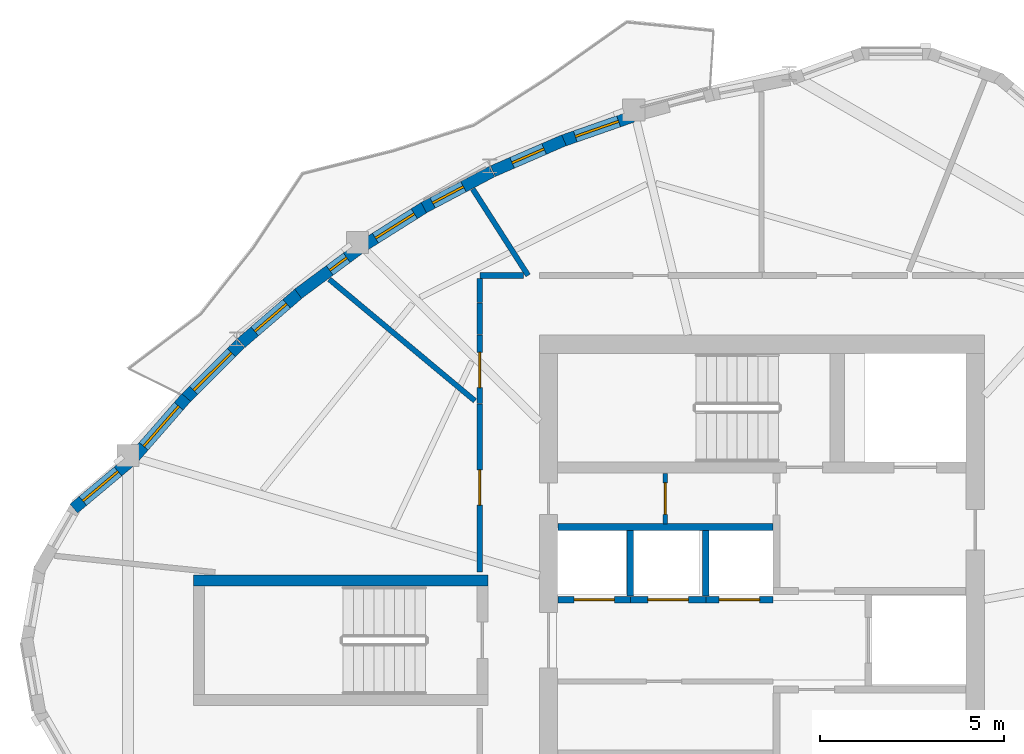
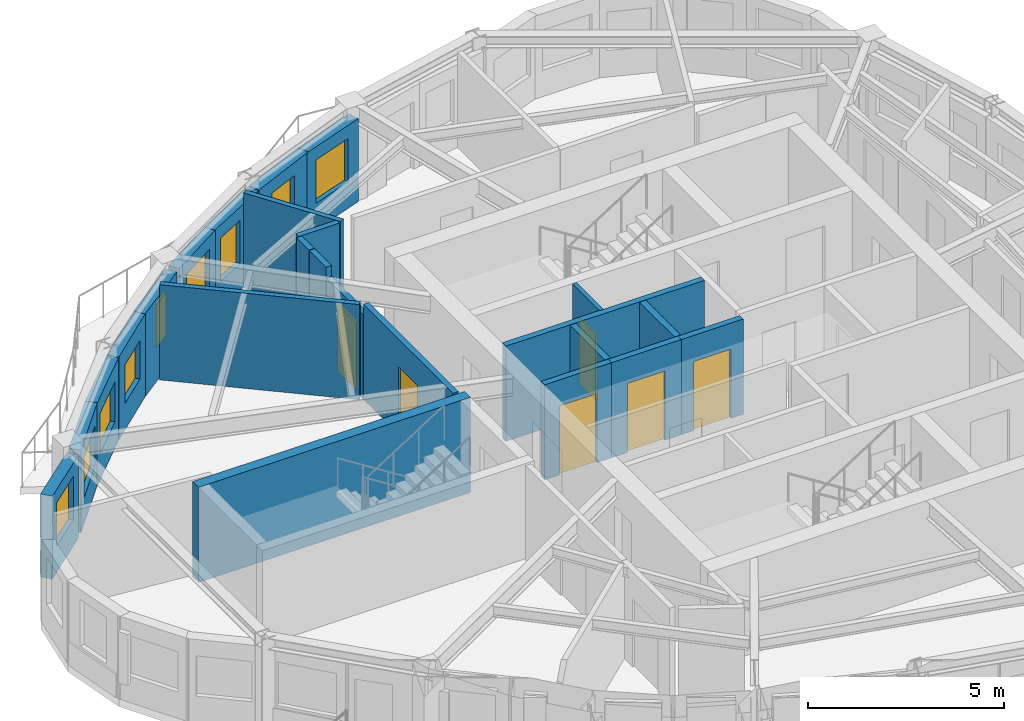
# One storey, part 5 of 11: 24 walls, 9 windows, 6 doors, 15 openings.
"""IFC4 building model written with IfcOpenShell, lengths in metres."""

import ifcopenshell
import ifcopenshell.guid

model = None  # the IFC model being written
_history = None  # IfcOwnerHistory: only IFC2X3 demands one
_inside = {}  # id of a spatial element -> (the spatial element, [elements in it])
_under = {}  # id of a project, library or spatial element -> (it, [spatial elements below it])
_declared = {}  # id of a project -> (the project, [libraries it declares])
_typed = {}  # id of a type object -> (the type object, [elements of that type])
_made_of = {}  # id of a material, layer set ... -> (it, [elements and type objects made of it])


def new_model(schema):
    """Start an empty IFC model of exactly this schema.

    Asked for "IFC4X3", IfcOpenShell would pick the latest addendum, in which some entities
    have other attributes; the version numbers below select the first issue.
    IFC2X3 requires an IfcOwnerHistory on every rooted entity: one is made here for all.
    """
    global model, _history
    if schema == "IFC4X3":
        model = ifcopenshell.file(schema_version=(4, 3, 0, 0))
    else:
        model = ifcopenshell.file(schema=schema)
    _inside.clear()
    _under.clear()
    _declared.clear()
    _typed.clear()
    _made_of.clear()
    _history = None
    if model.schema == "IFC2X3":
        org = make("IfcOrganization", Name="unknown")
        user = make(
            "IfcPersonAndOrganization",
            ThePerson=make("IfcPerson", FamilyName="unknown"),
            TheOrganization=org,
        )
        app = make(
            "IfcApplication",
            ApplicationDeveloper=org,
            Version="unknown",
            ApplicationFullName="unknown",
            ApplicationIdentifier="unknown",
        )
        _history = make(
            "IfcOwnerHistory",
            OwningUser=user,
            OwningApplication=app,
            ChangeAction="ADDED",
            CreationDate=0,
        )
    return model


def make(cls, **values):
    """One entity of the class cls with the attributes given. An attribute that is None is left unset."""
    return model.create_entity(
        cls, **{name: value for name, value in values.items() if value is not None}
    )


def rooted(cls, **values):
    """An entity with a GlobalId (a new one), such as an element, a storey or a relation."""
    return make(cls, GlobalId=ifcopenshell.guid.new(), OwnerHistory=_history, **values)


def si_unit(unit_type, name, prefix=None):
    """IfcSIUnit, for example si_unit("LENGTHUNIT", "METRE", prefix="MILLI")."""
    return make("IfcSIUnit", UnitType=unit_type, Prefix=prefix, Name=name)


def assignment(units):
    """IfcUnitAssignment: the units of a project."""
    return None if units is None else make("IfcUnitAssignment", Units=units)


def point(xyz):
    """IfcCartesianPoint."""
    return None if xyz is None else make("IfcCartesianPoint", Coordinates=xyz)


def direction(xyz):
    """IfcDirection."""
    return None if xyz is None else make("IfcDirection", DirectionRatios=xyz)


def frame(location, z_axis=None, x_axis=None):
    """IfcAxis2Placement3D, a coordinate frame: its origin and axes. An axis left out is left unset."""
    return make(
        "IfcAxis2Placement3D",
        Location=point(location),
        Axis=direction(z_axis),
        RefDirection=direction(x_axis),
    )


def frame_2d(location, x_axis=None):
    """IfcAxis2Placement2D, a coordinate frame in the plane: its origin and x axis."""
    return make(
        "IfcAxis2Placement2D", Location=point(location), RefDirection=direction(x_axis)
    )


def origin():
    """The frame at (0, 0, 0) with its axes left unset."""
    return frame((0.0, 0.0, 0.0))


def place(relative_to, where):
    """IfcLocalPlacement: puts the frame where relative to a parent placement (None: the world)."""
    return make(
        "IfcLocalPlacement", PlacementRelTo=relative_to, RelativePlacement=where
    )


def context(
    kind, dimensions, precision=None, world=None, true_north=None, identifier=None
):
    """IfcGeometricRepresentationContext, for example the 3D "Model" context."""
    return make(
        "IfcGeometricRepresentationContext",
        ContextIdentifier=identifier,
        ContextType=kind,
        CoordinateSpaceDimension=dimensions,
        Precision=precision,
        WorldCoordinateSystem=world,
        TrueNorth=true_north,
    )


def subcontext(parent, identifier, kind, view, scale=None):
    """IfcGeometricRepresentationSubContext, for example "Body" below "Model"."""
    return make(
        "IfcGeometricRepresentationSubContext",
        ContextIdentifier=identifier,
        ContextType=kind,
        ParentContext=parent,
        TargetScale=scale,
        TargetView=view,
    )


def project(units=None, contexts=None):
    """IfcProject with its units and contexts."""
    return rooted(
        "IfcProject",
        Name="project",
        RepresentationContexts=contexts,
        UnitsInContext=assignment(units),
    )


def spatial(cls, under=None, at=None, **own):
    """A site, building, storey or space (cls), placed at a placement, below another one or the project."""
    s = rooted(cls, ObjectPlacement=at, **own)
    if under is not None:
        _under.setdefault(under.id(), (under, []))[1].append(s)
    return s


def profile(cls, at=None, kind="AREA", **sizes):
    """A parametric profile (cls). Its sizes go by their IFC names, for example OverallWidth=200.0."""
    return make(cls, ProfileType=kind, Position=at, **sizes)


def rectangle(**sizes):
    """IfcRectangleProfileDef."""
    return profile("IfcRectangleProfileDef", **sizes)


def extrude(swept, where, along, depth):
    """IfcExtrudedAreaSolid: the profile swept, set in the frame where, extruded along a direction by depth."""
    return make(
        "IfcExtrudedAreaSolid",
        SweptArea=swept,
        Position=where,
        ExtrudedDirection=direction(along),
        Depth=depth,
    )


def shape(context_of_items, identifier, shape_type, items):
    """IfcShapeRepresentation: the items that make up one representation, for example the "Body"."""
    return make(
        "IfcShapeRepresentation",
        ContextOfItems=context_of_items,
        RepresentationIdentifier=identifier,
        RepresentationType=shape_type,
        Items=items,
    )


def source(mapping_origin, context_of_items, identifier, shape_type, items):
    """IfcRepresentationMap: a shape defined once, which mapped items show again and again."""
    return make(
        "IfcRepresentationMap",
        MappingOrigin=mapping_origin,
        MappedRepresentation=shape(context_of_items, identifier, shape_type, items),
    )


def transform(
    local_origin,
    x_axis=None,
    y_axis=None,
    z_axis=None,
    scale=None,
    scale2=None,
    scale3=None,
    uniform=True,
):
    """IfcCartesianTransformationOperator3D, or its non-uniform kind. x_axis, y_axis, z_axis: its Axis1, 2, 3."""
    if uniform:
        return make(
            "IfcCartesianTransformationOperator3D",
            Axis1=direction(x_axis),
            Axis2=direction(y_axis),
            LocalOrigin=point(local_origin),
            Scale=scale,
            Axis3=direction(z_axis),
        )
    return make(
        "IfcCartesianTransformationOperator3DnonUniform",
        Axis1=direction(x_axis),
        Axis2=direction(y_axis),
        LocalOrigin=point(local_origin),
        Scale=scale,
        Axis3=direction(z_axis),
        Scale2=scale2,
        Scale3=scale3,
    )


def mapped(mapping_source, mapping_target):
    """IfcMappedItem: shows the shape of a source again, moved by a transform."""
    return make(
        "IfcMappedItem", MappingSource=mapping_source, MappingTarget=mapping_target
    )


def material(Name=None, Category=None):
    """IfcMaterial."""
    return make("IfcMaterial", Name=Name, Category=Category)


def layer(
    of_material, thickness, ventilated=None, Name=None, Category=None, Priority=None
):
    """IfcMaterialLayer: one layer of a wall or slab, of a material (None: an air gap)."""
    return make(
        "IfcMaterialLayer",
        Material=of_material,
        LayerThickness=thickness,
        IsVentilated=ventilated,
        Name=Name,
        Category=Category,
        Priority=Priority,
    )


def layer_set(layers, Name=None):
    """IfcMaterialLayerSet."""
    return make("IfcMaterialLayerSet", MaterialLayers=layers, LayerSetName=Name)


def made_of(thing, what):
    """Note that an element or type object is made of a material, layer set ...; save() writes the relation."""
    if what is not None:
        _made_of.setdefault(what.id(), (what, []))[1].append(thing)
    return thing


def type_object(cls, material=None, **own):
    """A type object (cls), such as IfcWallType, which elements share."""
    return made_of(rooted(cls, **own), material)


def element(
    cls,
    number,
    at=None,
    inside=None,
    cuts=None,
    type_object=None,
    material=None,
    context=None,
    identifier="Body",
    shape_type=None,
    held_by="IfcProductDefinitionShape",
    body=None,
    shapes=None,
    **own,
):
    """One element of the class cls, such as IfcWall. Its Tag is "e" and its number.

    at: its placement. inside: the storey or other place that contains it. cuts: it is an
    opening in that element (IfcRelVoidsElement). A single representation is given by context,
    identifier, shape_type and body (its items); several are given by shapes. held_by: the class
    of the entity that holds the representations. save() writes the other relations.
    """
    e = rooted(cls, Tag="e%d" % number, ObjectPlacement=at, **own)
    if body is not None:
        shapes = [shape(context, identifier, shape_type, body)]
    if shapes is not None:
        e.Representation = make(held_by, Representations=shapes)
    if inside is not None:
        _inside.setdefault(inside.id(), (inside, []))[1].append(e)
    if cuts is not None:
        rooted(
            "IfcRelVoidsElement", RelatingBuildingElement=cuts, RelatedOpeningElement=e
        )
    if type_object is not None:
        _typed.setdefault(type_object.id(), (type_object, []))[1].append(e)
    return made_of(e, material)


def fill(opening, filler):
    """IfcRelFillsElement: the door or window that sits in an opening."""
    return rooted(
        "IfcRelFillsElement",
        RelatingOpeningElement=opening,
        RelatedBuildingElement=filler,
    )


def aggregate(whole, parts):
    """IfcRelAggregates: a whole, such as a stair, and the parts it consists of."""
    return rooted("IfcRelAggregates", RelatingObject=whole, RelatedObjects=parts)


def save(model, path):
    """Write the relations noted so far, then the file.

    IfcRelAggregates (storeys below a building ...), IfcRelContainedInSpatialStructure (elements
    in a storey), IfcRelDefinesByType, IfcRelAssociatesMaterial and IfcRelDeclares: one each for
    every whole, place, type object, material and project.
    """
    for whole, parts in _under.values():
        aggregate(whole, parts)
    for where, things in _inside.values():
        rooted(
            "IfcRelContainedInSpatialStructure",
            RelatedElements=things,
            RelatingStructure=where,
        )
    for kind, things in _typed.values():
        rooted("IfcRelDefinesByType", RelatedObjects=things, RelatingType=kind)
    for what, things in _made_of.values():
        rooted("IfcRelAssociatesMaterial", RelatedObjects=things, RelatingMaterial=what)
    for by, libraries in _declared.values():
        rooted("IfcRelDeclares", RelatingContext=by, RelatedDefinitions=libraries)
    model.write(path)


model = new_model("IFC4")

# Units and contexts
model_context = context("Model", 3, precision=1e-05, world=origin(), true_north=direction((0.0, 1.0)))
body_context = subcontext(model_context, "Body", "Model", "MODEL_VIEW")
ifc_project = project(units=[si_unit("LENGTHUNIT", "METRE"), si_unit("AREAUNIT", "SQUARE_METRE"), si_unit("VOLUMEUNIT", "CUBIC_METRE"), si_unit("PLANEANGLEUNIT", "RADIAN"), si_unit("MASSUNIT", "GRAM", prefix="KILO")], contexts=[model_context])

# Site, building, storey
site_placement = place(None, origin())
site = spatial("IfcSite", under=ifc_project, at=site_placement, CompositionType="ELEMENT")
building_placement = place(site_placement, origin())
building = spatial("IfcBuilding", under=site, at=building_placement, Name="Qafzar Sky-Pleat Residences", CompositionType="ELEMENT")
storey_placement = place(building_placement, frame((0.0, 0.0, 234.0)))
storey = spatial("IfcBuildingStorey", under=building, at=storey_placement, Name="L70", CompositionType="ELEMENT", Elevation=234.0)

# Wall, opening, door
ifc_material_1 = material(Name="Acoustic gypsum plasterboard partition", Category="gypsum")
ifc_layer_1 = layer(ifc_material_1, 0.159912109375)
ifc_layer_set_1 = layer_set([ifc_layer_1], Name="Acoustic gypsum plasterboard partition")
wall_type_1 = type_object("IfcWallType", Name="PART-COR-160", PredefinedType="PARTITIONING", material=ifc_layer_set_1)
wall_1_placement = place(storey_placement, frame((22.679931640625, 27.85009765625, 0.0), z_axis=(0.0, 0.0, 1.0), x_axis=(0.0, 1.0, 0.0)))
wall_1 = element("IfcWall", 1, at=wall_1_placement, inside=storey, type_object=wall_type_1, Name="L70 Partition Wall PART-L70-PW-003", PredefinedType="PARTITIONING", context=body_context, shape_type="SweptSolid", body=[
    extrude(rectangle(XDim=4.56884765625, YDim=0.159912109375, at=frame_2d((2.284423828125, 0.0))), origin(), (0.0, 0.0, 1.0), 2.9599609375),
])
opening_1_placement = place(wall_1_placement, frame((1.824462890625, 0.0, 0.0)))
opening_1 = element("IfcOpeningElement", 2, at=opening_1_placement, cuts=wall_1, Name="Opening ID-06", PredefinedType="OPENING", context=body_context, shape_type="SweptSolid", body=[
    extrude(rectangle(XDim=0.9599609375, YDim=2.10009765625, at=frame_2d((0.47998046875, 1.050048828125))), frame((0.0, 0.08984375, 0.0), z_axis=(0.0, -1.0, 0.0), x_axis=(1.0, 0.0, 0.0)), (0.0, 0.0, 1.0), 0.179931640625),
])
ifc_material_2 = material(Name="Timber-faced fire door", Category="wood")
door_type_1 = type_object("IfcDoorType", Name="DR-STD-960", OperationType="NOTDEFINED", PredefinedType="DOOR", material=ifc_material_2)
shared_shape_1 = source(origin(), body_context, "Body", "SweptSolid", [
    extrude(rectangle(XDim=0.9599609375, YDim=2.10009765625, at=frame_2d((0.47998046875, 1.050048828125))), frame((0.0, 0.02490234375, 0.0), z_axis=(0.0, -1.0, 0.0), x_axis=(1.0, 0.0, 0.0)), (0.0, 0.0, 1.0), 0.050048828125),
])
door_1_placement = place(opening_1_placement, origin())
door_1 = element("IfcDoor", 3, at=door_1_placement, inside=storey, type_object=door_type_1, Name="L70 Scholar Co-Working Workspace Door", OperationType="SINGLE_SWING_RIGHT", OverallHeight=2.10009765625, OverallWidth=0.9599609375, PredefinedType="DOOR", context=body_context, shape_type="MappedRepresentation", body=[
    mapped(shared_shape_1, transform((0.0, 0.0, 0.0), x_axis=(1.0, 0.0, 0.0), y_axis=(0.0, 1.0, 0.0), z_axis=(0.0, 0.0, 1.0), scale=1.0)),
])
fill(opening_1, door_1)

wall_2_placement = place(storey_placement, frame((22.679931640625, 32.43408203125, 0.0), z_axis=(0.0, 0.0, 1.0), x_axis=(0.0, 1.0, 0.0)))
wall_2 = element("IfcWall", 4, at=wall_2_placement, inside=storey, type_object=wall_type_1, Name="L70 Partition Wall PART-L70-PW-010", PredefinedType="PARTITIONING", context=body_context, shape_type="SweptSolid", body=[
    extrude(rectangle(XDim=1.865966796875, YDim=0.159912109375, at=frame_2d((0.93310546875, 0.0))), origin(), (0.0, 0.0, 1.0), 2.6279296875),
])
opening_2_placement = place(wall_2_placement, frame((0.43603515625, 0.0, 0.0)))
opening_2 = element("IfcOpeningElement", 5, at=opening_2_placement, cuts=wall_2, Name="Opening ID-06", PredefinedType="OPENING", context=body_context, shape_type="SweptSolid", body=[
    extrude(rectangle(XDim=0.9599609375, YDim=2.10009765625, at=frame_2d((0.47998046875, 1.050048828125))), frame((0.0, 0.08984375, 0.0), z_axis=(0.0, -1.0, 0.0), x_axis=(1.0, 0.0, 0.0)), (0.0, 0.0, 1.0), 0.179931640625),
])
door_2_placement = place(opening_2_placement, origin())
door_2 = element("IfcDoor", 6, at=door_2_placement, inside=storey, type_object=door_type_1, Name="L70 Quiet Prayer Room Door", OperationType="SINGLE_SWING_RIGHT", OverallHeight=2.10009765625, OverallWidth=0.9599609375, PredefinedType="DOOR", context=body_context, shape_type="MappedRepresentation", body=[
    mapped(shared_shape_1, transform((0.0, 0.0, 0.0), x_axis=(1.0, 0.0, 0.0), y_axis=(0.0, 1.0, 0.0), z_axis=(0.0, 0.0, 1.0), scale=1.0)),
])
fill(opening_2, door_2)

# Walls
wall_3_placement = place(storey_placement, frame((22.679931640625, 35.919921875, 0.0), z_axis=(0.0, 0.0, 1.0), x_axis=(1.0, 0.0, 0.0)))
element("IfcWall", 7, at=wall_3_placement, inside=storey, type_object=wall_type_1, Name="L70 Partition Wall PART-L70-PW-026", PredefinedType="PARTITIONING", context=body_context, shape_type="SweptSolid", body=[
    extrude(rectangle(XDim=1.186767578125, YDim=0.159912109375, at=frame_2d((0.59326171875, 0.0))), origin(), (0.0, 0.0, 1.0), 2.9599609375),
])
wall_4_placement = place(storey_placement, frame((22.679931640625, 34.31494140625, 0.0), z_axis=(0.0, 0.0, 1.0), x_axis=(0.0, 1.0, 0.0)))
element("IfcWall", 8, at=wall_4_placement, inside=storey, type_object=wall_type_1, Name="L70 Partition Wall PART-L70-PW-028", PredefinedType="PARTITIONING", context=body_context, shape_type="SweptSolid", body=[
    extrude(rectangle(XDim=0.859130859375, YDim=0.159912109375, at=frame_2d((0.4296875, 0.0))), origin(), (0.0, 0.0, 1.0), 2.9599609375),
])
wall_5_placement = place(storey_placement, frame((22.679931640625, 35.18896484375, 0.0), z_axis=(0.0, 0.0, 1.0), x_axis=(0.0, 1.0, 0.0)))
element("IfcWall", 9, at=wall_5_placement, inside=storey, type_object=wall_type_1, Name="L70 Partition Wall PART-L70-PW-029", PredefinedType="PARTITIONING", context=body_context, shape_type="SweptSolid", body=[
    extrude(rectangle(XDim=0.64306640625, YDim=0.159912109375, at=frame_2d((0.321533203125, 0.0))), origin(), (0.0, 0.0, 1.0), 2.9599609375),
])
ifc_material_3 = material(Name="Concrete blockwork partition", Category="masonry")
ifc_layer_2 = layer(ifc_material_3, 0.179931640625)
ifc_layer_set_2 = layer_set([ifc_layer_2], Name="Concrete blockwork partition")
wall_type_2 = type_object("IfcWallType", Name="PART-SHAFT-180", PredefinedType="PARTITIONING", material=ifc_layer_set_2)
wall_6_placement = place(storey_placement, frame((24.81005859375, 29.080078125, 0.0), z_axis=(0.0, 0.0, 1.0), x_axis=(1.0, 0.0, 0.0)))
element("IfcWall", 10, at=wall_6_placement, inside=storey, type_object=wall_type_2, Name="L70 Partition Wall PART-L70-P46-N", PredefinedType="PARTITIONING", context=body_context, shape_type="SweptSolid", body=[
    extrude(rectangle(XDim=5.83984375, YDim=0.179931640625, at=frame_2d((2.919921875, 0.0))), origin(), (0.0, 0.0, 1.0), 2.9599609375),
])

# Wall, opening, door
wall_7_placement = place(storey_placement, frame((24.81005859375, 27.10009765625, 0.0), z_axis=(0.0, 0.0, 1.0), x_axis=(1.0, 0.0, 0.0)))
wall_7 = element("IfcWall", 11, at=wall_7_placement, inside=storey, type_object=wall_type_2, Name="L70 Partition Wall PART-L70-P4-S", PredefinedType="PARTITIONING", context=body_context, shape_type="SweptSolid", body=[
    extrude(rectangle(XDim=1.96484375, YDim=0.179931640625, at=frame_2d((0.982421875, 0.0))), origin(), (0.0, 0.0, 1.0), 2.9599609375),
])
opening_3_placement = place(wall_7_placement, frame((0.4326171875, 0.0, 0.0)))
opening_3 = element("IfcOpeningElement", 12, at=opening_3_placement, cuts=wall_7, Name="Opening LD-01", PredefinedType="OPENING", context=body_context, shape_type="SweptSolid", body=[
    extrude(rectangle(XDim=1.10009765625, YDim=2.14990234375, at=frame_2d((0.550048828125, 1.074951171875))), frame((0.0, 0.10009765625, 0.0), z_axis=(0.0, -1.0, 0.0), x_axis=(1.0, 0.0, 0.0)), (0.0, 0.0, 1.0), 0.199951171875),
])
ifc_material_4 = material(Name="Stainless steel sliding landing door", Category="steel")
door_type_2 = type_object("IfcDoorType", Name="DR-LIFT-P", OperationType="DOUBLE_DOOR_SLIDING", PredefinedType="DOOR", material=ifc_material_4)
shared_shape_2 = source(origin(), body_context, "Body", "SweptSolid", [
    extrude(rectangle(XDim=1.10009765625, YDim=2.14990234375, at=frame_2d((0.550048828125, 1.074951171875))), frame((0.0, 0.02490234375, 0.0), z_axis=(0.0, -1.0, 0.0), x_axis=(1.0, 0.0, 0.0)), (0.0, 0.0, 1.0), 0.050048828125),
])
door_3_placement = place(opening_3_placement, origin())
door_3 = element("IfcDoor", 13, at=door_3_placement, inside=storey, type_object=door_type_2, Name="L70 Passenger Lift P4 Landing Door", OperationType="DOUBLE_DOOR_SLIDING", OverallHeight=2.14990234375, OverallWidth=1.10009765625, PredefinedType="DOOR", context=body_context, shape_type="MappedRepresentation", body=[
    mapped(shared_shape_2, transform((0.0, 0.0, 0.0), x_axis=(1.0, 0.0, 0.0), y_axis=(0.0, 1.0, 0.0), z_axis=(0.0, 0.0, 1.0), scale=1.0)),
])
fill(opening_3, door_3)

wall_8_placement = place(storey_placement, frame((26.77490234375, 27.10009765625, 0.0), z_axis=(0.0, 0.0, 1.0), x_axis=(1.0, 0.0, 0.0)))
wall_8 = element("IfcWall", 14, at=wall_8_placement, inside=storey, type_object=wall_type_2, Name="L70 Partition Wall PART-L70-P5-S", PredefinedType="PARTITIONING", context=body_context, shape_type="SweptSolid", body=[
    extrude(rectangle(XDim=2.050048828125, YDim=0.179931640625, at=frame_2d((1.02490234375, 0.0))), origin(), (0.0, 0.0, 1.0), 2.9599609375),
])
opening_4_placement = place(wall_8_placement, frame((0.47509765625, 0.0, 0.0)))
opening_4 = element("IfcOpeningElement", 15, at=opening_4_placement, cuts=wall_8, Name="Opening LD-01", PredefinedType="OPENING", context=body_context, shape_type="SweptSolid", body=[
    extrude(rectangle(XDim=1.10009765625, YDim=2.14990234375, at=frame_2d((0.550048828125, 1.074951171875))), frame((0.0, 0.10009765625, 0.0), z_axis=(0.0, -1.0, 0.0), x_axis=(1.0, 0.0, 0.0)), (0.0, 0.0, 1.0), 0.199951171875),
])
door_4_placement = place(opening_4_placement, origin())
door_4 = element("IfcDoor", 16, at=door_4_placement, inside=storey, type_object=door_type_2, Name="L70 Passenger Lift P5 Landing Door", OperationType="DOUBLE_DOOR_SLIDING", OverallHeight=2.14990234375, OverallWidth=1.10009765625, PredefinedType="DOOR", context=body_context, shape_type="MappedRepresentation", body=[
    mapped(shared_shape_2, transform((0.0, 0.0, 0.0), x_axis=(1.0, 0.0, 0.0), y_axis=(0.0, 1.0, 0.0), z_axis=(0.0, 0.0, 1.0), scale=1.0)),
])
fill(opening_4, door_4)

# Wall
wall_9_placement = place(storey_placement, frame((26.77490234375, 27.199951171875, 0.0), z_axis=(0.0, 0.0, 1.0), x_axis=(0.0, 1.0, 0.0)))
element("IfcWall", 17, at=wall_9_placement, inside=storey, type_object=wall_type_2, Name="L70 Partition Wall PART-L70-P46-DIV-1", PredefinedType="PARTITIONING", context=body_context, shape_type="SweptSolid", body=[
    extrude(rectangle(XDim=1.780029296875, YDim=0.179931640625, at=frame_2d((0.89013671875, 0.0))), origin(), (0.0, 0.0, 1.0), 2.9599609375),
])

# Wall, opening, door
wall_10_placement = place(storey_placement, frame((28.824951171875, 27.10009765625, 0.0), z_axis=(0.0, 0.0, 1.0), x_axis=(1.0, 0.0, 0.0)))
wall_10 = element("IfcWall", 18, at=wall_10_placement, inside=storey, type_object=wall_type_2, Name="L70 Partition Wall PART-L70-P6-S", PredefinedType="PARTITIONING", context=body_context, shape_type="SweptSolid", body=[
    extrude(rectangle(XDim=1.824951171875, YDim=0.179931640625, at=frame_2d((0.91259765625, 0.0))), origin(), (0.0, 0.0, 1.0), 2.9599609375),
])
opening_5_placement = place(wall_10_placement, frame((0.362548828125, 0.0, 0.0)))
opening_5 = element("IfcOpeningElement", 19, at=opening_5_placement, cuts=wall_10, Name="Opening LD-01", PredefinedType="OPENING", context=body_context, shape_type="SweptSolid", body=[
    extrude(rectangle(XDim=1.10009765625, YDim=2.14990234375, at=frame_2d((0.550048828125, 1.074951171875))), frame((0.0, 0.10009765625, 0.0), z_axis=(0.0, -1.0, 0.0), x_axis=(1.0, 0.0, 0.0)), (0.0, 0.0, 1.0), 0.199951171875),
])
door_5_placement = place(opening_5_placement, origin())
door_5 = element("IfcDoor", 20, at=door_5_placement, inside=storey, type_object=door_type_2, Name="L70 Passenger Lift P6 Landing Door", OperationType="DOUBLE_DOOR_SLIDING", OverallHeight=2.14990234375, OverallWidth=1.10009765625, PredefinedType="DOOR", context=body_context, shape_type="MappedRepresentation", body=[
    mapped(shared_shape_2, transform((0.0, 0.0, 0.0), x_axis=(1.0, 0.0, 0.0), y_axis=(0.0, 1.0, 0.0), z_axis=(0.0, 0.0, 1.0), scale=1.0)),
])
fill(opening_5, door_5)

# Wall
wall_11_placement = place(storey_placement, frame((28.824951171875, 27.199951171875, 0.0), z_axis=(0.0, 0.0, 1.0), x_axis=(0.0, 1.0, 0.0)))
element("IfcWall", 21, at=wall_11_placement, inside=storey, type_object=wall_type_2, Name="L70 Partition Wall PART-L70-P46-DIV-2", PredefinedType="PARTITIONING", context=body_context, shape_type="SweptSolid", body=[
    extrude(rectangle(XDim=1.780029296875, YDim=0.179931640625, at=frame_2d((0.89013671875, 0.0))), origin(), (0.0, 0.0, 1.0), 2.9599609375),
])

# Wall, opening, door
ifc_material_5 = material(Name="Gypsum plasterboard partition", Category="gypsum")
ifc_layer_3 = layer(ifc_material_5, 0.114990234375)
ifc_layer_set_3 = layer_set([ifc_layer_3], Name="Gypsum plasterboard partition")
wall_type_3 = type_object("IfcWallType", Name="PART-SVC-115", PredefinedType="PARTITIONING", material=ifc_layer_set_3)
wall_12_placement = place(storey_placement, frame((27.72509765625, 29.159912109375, 0.0), z_axis=(0.0, 0.0, 1.0), x_axis=(0.0, 1.0, 0.0)))
wall_12 = element("IfcWall", 22, at=wall_12_placement, inside=storey, type_object=wall_type_3, Name="L70 Partition Wall PART-L70-KB-NW", PredefinedType="PARTITIONING", context=body_context, shape_type="SweptSolid", body=[
    extrude(rectangle(XDim=1.380126953125, YDim=0.114990234375, at=frame_2d((0.68994140625, 0.0))), origin(), (0.0, 0.0, 1.0), 2.9599609375),
])
opening_6_placement = place(wall_12_placement, frame((0.260009765625, 0.0, 0.0)))
opening_6 = element("IfcOpeningElement", 23, at=opening_6_placement, cuts=wall_12, Name="Opening ID-09", PredefinedType="OPENING", context=body_context, shape_type="SweptSolid", body=[
    extrude(rectangle(XDim=0.860107421875, YDim=2.050048828125, at=frame_2d((0.43017578125, 1.02490234375))), frame((0.0, 0.0673828125, 0.0), z_axis=(0.0, -1.0, 0.0), x_axis=(1.0, 0.0, 0.0)), (0.0, 0.0, 1.0), 0.135009765625),
])
door_type_3 = type_object("IfcDoorType", Name="DR-SVC-860", OperationType="NOTDEFINED", PredefinedType="DOOR", material=ifc_material_2)
shared_shape_3 = source(origin(), body_context, "Body", "SweptSolid", [
    extrude(rectangle(XDim=0.860107421875, YDim=2.050048828125, at=frame_2d((0.43017578125, 1.02490234375))), frame((0.0, 0.02490234375, 0.0), z_axis=(0.0, -1.0, 0.0), x_axis=(1.0, 0.0, 0.0)), (0.0, 0.0, 1.0), 0.050048828125),
])
door_6_placement = place(opening_6_placement, origin())
door_6 = element("IfcDoor", 24, at=door_6_placement, inside=storey, type_object=door_type_3, Name="L70 IT Cupboard Door", OperationType="SINGLE_SWING_RIGHT", OverallHeight=2.050048828125, OverallWidth=0.860107421875, PredefinedType="DOOR", context=body_context, shape_type="MappedRepresentation", body=[
    mapped(shared_shape_3, transform((0.0, 0.0, 0.0), x_axis=(1.0, 0.0, 0.0), y_axis=(0.0, 1.0, 0.0), z_axis=(0.0, 0.0, 1.0), scale=1.0)),
])
fill(opening_6, door_6)

# Walls
ifc_layer_4 = layer(ifc_material_1, 0.14501953125)
ifc_layer_set_4 = layer_set([ifc_layer_4], Name="Acoustic gypsum plasterboard partition")
wall_type_4 = type_object("IfcWallType", Name="PART-UNIT-145", PredefinedType="PARTITIONING", material=ifc_layer_set_4)
wall_13_placement = place(storey_placement, frame((18.585693359375, 35.81689453125, 0.0), z_axis=(0.0, 0.0, 1.0), x_axis=(0.767767335808, -0.640728739848, 0.0)))
element("IfcWall", 25, at=wall_13_placement, inside=storey, type_object=wall_type_4, Name="L70 Partition Wall PART-L70-PW-012", PredefinedType="PARTITIONING", context=body_context, shape_type="SweptSolid", body=[
    extrude(rectangle(XDim=5.159912109375, YDim=0.14501953125, at=frame_2d((2.580078125, 0.0))), origin(), (0.0, 0.0, 1.0), 2.9599609375),
])
wall_14_placement = place(storey_placement, frame((22.48876953125, 38.27001953125, 0.0), z_axis=(0.0, 0.0, 1.0), x_axis=(0.539324255944, -0.842098181301, 0.0)))
element("IfcWall", 26, at=wall_14_placement, inside=storey, type_object=wall_type_4, Name="L70 Partition Wall PART-L70-PW-020", PredefinedType="PARTITIONING", context=body_context, shape_type="SweptSolid", body=[
    extrude(rectangle(XDim=2.790771484375, YDim=0.14501953125, at=frame_2d((1.3955078125, 0.0))), origin(), (0.0, 0.0, 1.0), 2.9599609375),
])

# Wall, opening, window
ifc_material_6 = material(Name="Precast concrete C40/50 with honed Riyadh limestone", Category="concrete")
ifc_layer_5 = layer(ifc_material_6, 0.320068359375)
ifc_layer_set_5 = layer_set([ifc_layer_5], Name="Precast concrete C40/50 with honed Riyadh limestone")
wall_type_5 = type_object("IfcWallType", Name="WALL-EXT-320", PredefinedType="SOLIDWALL", material=ifc_layer_set_5)
wall_15_placement = place(storey_placement, frame((13.143798828125, 30.842529296875, 0.0), z_axis=(0.0, 0.0, 1.0), x_axis=(-0.76606505432, -0.642763045414, 0.0)))
wall_15 = element("IfcWall", 27, at=wall_15_placement, inside=storey, type_object=wall_type_5, Name="L70 Limestone Facade Wall 1", PredefinedType="SOLIDWALL", context=body_context, shape_type="SweptSolid", body=[
    extrude(rectangle(XDim=1.962158203125, YDim=0.320068359375, at=frame_2d((0.98095703125, 0.0))), origin(), (0.0, 0.0, 1.0), 2.580078125),
])
opening_7_placement = place(wall_15_placement, frame((0.39111328125, 0.0, 0.820068359375)))
opening_7 = element("IfcOpeningElement", 28, at=opening_7_placement, cuts=wall_15, Name="Opening WN-11", PredefinedType="OPENING", context=body_context, shape_type="SweptSolid", body=[
    extrude(rectangle(XDim=1.25, YDim=1.35009765625, at=frame_2d((0.625, 0.675048828125))), frame((0.0, 0.169921875, 0.0), z_axis=(0.0, -1.0, 0.0), x_axis=(1.0, 0.0, 0.0)), (0.0, 0.0, 1.0), 0.340087890625),
])
ifc_material_7 = material(Name="Solar-control low-E glass in bronze aluminium frame", Category="glass")
window_type_1 = type_object("IfcWindowType", Name="WIN-11", PartitioningType="SINGLE_PANEL", PredefinedType="WINDOW", material=ifc_material_7)
shared_shape_4 = source(origin(), body_context, "Body", "SweptSolid", [
    extrude(rectangle(XDim=1.25, YDim=1.35009765625, at=frame_2d((0.625, 0.675048828125))), frame((0.0, 0.030029296875, 0.0), z_axis=(0.0, -1.0, 0.0), x_axis=(1.0, 0.0, 0.0)), (0.0, 0.0, 1.0), 0.06005859375),
])
window_1_placement = place(opening_7_placement, origin())
window_1 = element("IfcWindow", 29, at=window_1_placement, inside=storey, type_object=window_type_1, Name="L70 Punched Facade Window 01", OverallHeight=1.35009765625, OverallWidth=1.25, PartitioningType="SINGLE_PANEL", PredefinedType="WINDOW", context=body_context, shape_type="MappedRepresentation", body=[
    mapped(shared_shape_4, transform((0.0, 0.0, 0.0), x_axis=(1.0, 0.0, 0.0), y_axis=(0.0, 1.0, 0.0), z_axis=(0.0, 0.0, 1.0), scale=1.0)),
])
fill(opening_7, window_1)

wall_16_placement = place(storey_placement, frame((26.83447265625, 40.24267578125, 0.0), z_axis=(0.0, 0.0, 1.0), x_axis=(-0.944112804798, -0.32962252929, 0.0)))
wall_16 = element("IfcWall", 30, at=wall_16_placement, inside=storey, type_object=wall_type_5, Name="L70 Limestone Facade Wall 41", PredefinedType="SOLIDWALL", context=body_context, shape_type="SweptSolid", body=[
    extrude(rectangle(XDim=2.06201171875, YDim=0.320068359375, at=frame_2d((1.031005859375, 0.0))), origin(), (0.0, 0.0, 1.0), 2.580078125),
])
opening_8_placement = place(wall_16_placement, frame((0.40087890625, 0.0, 0.820068359375)))
opening_8 = element("IfcOpeningElement", 31, at=opening_8_placement, cuts=wall_16, Name="Opening WN-11", PredefinedType="OPENING", context=body_context, shape_type="SweptSolid", body=[
    extrude(rectangle(XDim=1.25, YDim=1.35009765625, at=frame_2d((0.625, 0.675048828125))), frame((0.0, 0.169921875, 0.0), z_axis=(0.0, -1.0, 0.0), x_axis=(1.0, 0.0, 0.0)), (0.0, 0.0, 1.0), 0.340087890625),
])
window_2_placement = place(opening_8_placement, origin())
window_2 = element("IfcWindow", 32, at=window_2_placement, inside=storey, type_object=window_type_1, Name="L70 Punched Facade Window 41", OverallHeight=1.35009765625, OverallWidth=1.25, PartitioningType="SINGLE_PANEL", PredefinedType="WINDOW", context=body_context, shape_type="MappedRepresentation", body=[
    mapped(shared_shape_4, transform((0.0, 0.0, 0.0), x_axis=(1.0, 0.0, 0.0), y_axis=(0.0, 1.0, 0.0), z_axis=(0.0, 0.0, 1.0), scale=1.0)),
])
fill(opening_8, window_2)

wall_17_placement = place(storey_placement, frame((24.969482421875, 39.59521484375, 0.0), z_axis=(0.0, 0.0, 1.0), x_axis=(-0.917071897365, -0.398721876831, 0.0)))
wall_17 = element("IfcWall", 33, at=wall_17_placement, inside=storey, type_object=wall_type_5, Name="L70 Limestone Facade Wall 42", PredefinedType="SOLIDWALL", context=body_context, shape_type="SweptSolid", body=[
    extrude(rectangle(XDim=2.108154296875, YDim=0.320068359375, at=frame_2d((1.05419921875, 0.0))), origin(), (0.0, 0.0, 1.0), 2.580078125),
])
opening_9_placement = place(wall_17_placement, frame((0.589111328125, 0.0, 0.820068359375)))
opening_9 = element("IfcOpeningElement", 34, at=opening_9_placement, cuts=wall_17, Name="Opening WN-12", PredefinedType="OPENING", context=body_context, shape_type="SweptSolid", body=[
    extrude(rectangle(XDim=0.949951171875, YDim=1.35009765625, at=frame_2d((0.47509765625, 0.675048828125))), frame((0.0, 0.169921875, 0.0), z_axis=(0.0, -1.0, 0.0), x_axis=(1.0, 0.0, 0.0)), (0.0, 0.0, 1.0), 0.340087890625),
])
window_type_2 = type_object("IfcWindowType", Name="WIN-12", PartitioningType="SINGLE_PANEL", PredefinedType="WINDOW", material=ifc_material_7)
shared_shape_5 = source(origin(), body_context, "Body", "SweptSolid", [
    extrude(rectangle(XDim=0.949951171875, YDim=1.35009765625, at=frame_2d((0.47509765625, 0.675048828125))), frame((0.0, 0.030029296875, 0.0), z_axis=(0.0, -1.0, 0.0), x_axis=(1.0, 0.0, 0.0)), (0.0, 0.0, 1.0), 0.06005859375),
])
window_3_placement = place(opening_9_placement, origin())
window_3 = element("IfcWindow", 35, at=window_3_placement, inside=storey, type_object=window_type_2, Name="L70 Punched Facade Window 42", OverallHeight=1.35009765625, OverallWidth=0.949951171875, PartitioningType="SINGLE_PANEL", PredefinedType="WINDOW", context=body_context, shape_type="MappedRepresentation", body=[
    mapped(shared_shape_5, transform((0.0, 0.0, 0.0), x_axis=(1.0, 0.0, 0.0), y_axis=(0.0, 1.0, 0.0), z_axis=(0.0, 0.0, 1.0), scale=1.0)),
])
fill(opening_9, window_3)

wall_18_placement = place(storey_placement, frame((23.010986328125, 38.74267578125, 0.0), z_axis=(0.0, 0.0, 1.0), x_axis=(-0.884356705668, -0.466811757713, 0.0)))
wall_18 = element("IfcWall", 36, at=wall_18_placement, inside=storey, type_object=wall_type_5, Name="L70 Limestone Facade Wall 43", PredefinedType="SOLIDWALL", context=body_context, shape_type="SweptSolid", body=[
    extrude(rectangle(XDim=2.09619140625, YDim=0.320068359375, at=frame_2d((1.048095703125, 0.0))), origin(), (0.0, 0.0, 1.0), 2.580078125),
])
opening_10_placement = place(wall_18_placement, frame((0.875244140625, 0.0, 0.820068359375)))
opening_10 = element("IfcOpeningElement", 37, at=opening_10_placement, cuts=wall_18, Name="Opening WN-12", PredefinedType="OPENING", context=body_context, shape_type="SweptSolid", body=[
    extrude(rectangle(XDim=0.949951171875, YDim=1.35009765625, at=frame_2d((0.47509765625, 0.675048828125))), frame((0.0, 0.169921875, 0.0), z_axis=(0.0, -1.0, 0.0), x_axis=(1.0, 0.0, 0.0)), (0.0, 0.0, 1.0), 0.340087890625),
])
window_4_placement = place(opening_10_placement, origin())
window_4 = element("IfcWindow", 38, at=window_4_placement, inside=storey, type_object=window_type_2, Name="L70 Punched Facade Window 43-2", OverallHeight=1.35009765625, OverallWidth=0.949951171875, PartitioningType="SINGLE_PANEL", PredefinedType="WINDOW", context=body_context, shape_type="MappedRepresentation", body=[
    mapped(shared_shape_5, transform((0.0, 0.0, 0.0), x_axis=(1.0, 0.0, 0.0), y_axis=(0.0, 1.0, 0.0), z_axis=(0.0, 0.0, 1.0), scale=1.0)),
])
fill(opening_10, window_4)

wall_19_placement = place(storey_placement, frame((21.2333984375, 37.80810546875, 0.0), z_axis=(0.0, 0.0, 1.0), x_axis=(-0.84640381825, -0.532541619454, 0.0)))
wall_19 = element("IfcWall", 39, at=wall_19_placement, inside=storey, type_object=wall_type_5, Name="L70 Limestone Facade Wall 44", PredefinedType="SOLIDWALL", context=body_context, shape_type="SweptSolid", body=[
    extrude(rectangle(XDim=2.0263671875, YDim=0.320068359375, at=frame_2d((1.01318359375, 0.0))), origin(), (0.0, 0.0, 1.0), 2.580078125),
])
opening_11_placement = place(wall_19_placement, frame((0.39306640625, 0.0, 0.820068359375)))
opening_11 = element("IfcOpeningElement", 40, at=opening_11_placement, cuts=wall_19, Name="Opening WN-11", PredefinedType="OPENING", context=body_context, shape_type="SweptSolid", body=[
    extrude(rectangle(XDim=1.25, YDim=1.35009765625, at=frame_2d((0.625, 0.675048828125))), frame((0.0, 0.169921875, 0.0), z_axis=(0.0, -1.0, 0.0), x_axis=(1.0, 0.0, 0.0)), (0.0, 0.0, 1.0), 0.340087890625),
])
window_5_placement = place(opening_11_placement, origin())
window_5 = element("IfcWindow", 41, at=window_5_placement, inside=storey, type_object=window_type_1, Name="L70 Punched Facade Window 44", OverallHeight=1.35009765625, OverallWidth=1.25, PartitioningType="SINGLE_PANEL", PredefinedType="WINDOW", context=body_context, shape_type="MappedRepresentation", body=[
    mapped(shared_shape_4, transform((0.0, 0.0, 0.0), x_axis=(1.0, 0.0, 0.0), y_axis=(0.0, 1.0, 0.0), z_axis=(0.0, 0.0, 1.0), scale=1.0)),
])
fill(opening_11, window_5)

wall_20_placement = place(storey_placement, frame((19.3798828125, 36.634521484375, 0.0), z_axis=(0.0, 0.0, 1.0), x_axis=(-0.803849917549, -0.594832169654, 0.0)))
wall_20 = element("IfcWall", 42, at=wall_20_placement, inside=storey, type_object=wall_type_5, Name="L70 Limestone Facade Wall 45", PredefinedType="SOLIDWALL", context=body_context, shape_type="SweptSolid", body=[
    extrude(rectangle(XDim=2.038330078125, YDim=0.320068359375, at=frame_2d((1.01904296875, 0.0))), origin(), (0.0, 0.0, 1.0), 2.580078125),
])
opening_12_placement = place(wall_20_placement, frame((0.3916015625, 0.0, 0.820068359375)))
opening_12 = element("IfcOpeningElement", 43, at=opening_12_placement, cuts=wall_20, Name="Opening WN-17", PredefinedType="OPENING", context=body_context, shape_type="SweptSolid", body=[
    extrude(rectangle(XDim=0.580078125, YDim=1.35009765625, at=frame_2d((0.2900390625, 0.675048828125))), frame((0.0, 0.169921875, 0.0), z_axis=(0.0, -1.0, 0.0), x_axis=(1.0, 0.0, 0.0)), (0.0, 0.0, 1.0), 0.340087890625),
])
window_type_3 = type_object("IfcWindowType", Name="WIN-17", PartitioningType="SINGLE_PANEL", PredefinedType="WINDOW", material=ifc_material_7)
shared_shape_6 = source(origin(), body_context, "Body", "SweptSolid", [
    extrude(rectangle(XDim=0.580078125, YDim=1.35009765625, at=frame_2d((0.2900390625, 0.675048828125))), frame((0.0, 0.030029296875, 0.0), z_axis=(0.0, -1.0, 0.0), x_axis=(1.0, 0.0, 0.0)), (0.0, 0.0, 1.0), 0.06005859375),
])
window_6_placement = place(opening_12_placement, origin())
window_6 = element("IfcWindow", 44, at=window_6_placement, inside=storey, type_object=window_type_3, Name="L70 Punched Facade Window 45", OverallHeight=1.35009765625, OverallWidth=0.580078125, PartitioningType="SINGLE_PANEL", PredefinedType="WINDOW", context=body_context, shape_type="MappedRepresentation", body=[
    mapped(shared_shape_6, transform((0.0, 0.0, 0.0), x_axis=(1.0, 0.0, 0.0), y_axis=(0.0, 1.0, 0.0), z_axis=(0.0, 0.0, 1.0), scale=1.0)),
])
fill(opening_12, window_6)

wall_21_placement = place(storey_placement, frame((17.81005859375, 35.476806640625, 0.0), z_axis=(0.0, 0.0, 1.0), x_axis=(-0.757507609111, -0.652826333827, 0.0)))
wall_21 = element("IfcWall", 45, at=wall_21_placement, inside=storey, type_object=wall_type_5, Name="L70 Limestone Facade Wall 46", PredefinedType="SOLIDWALL", context=body_context, shape_type="SweptSolid", body=[
    extrude(rectangle(XDim=2.131591796875, YDim=0.320068359375, at=frame_2d((1.06591796875, 0.0))), origin(), (0.0, 0.0, 1.0), 2.580078125),
])
opening_13_placement = place(wall_21_placement, frame((0.5009765625, 0.0, 0.820068359375)))
opening_13 = element("IfcOpeningElement", 46, at=opening_13_placement, cuts=wall_21, Name="Opening WN-16", PredefinedType="OPENING", context=body_context, shape_type="SweptSolid", body=[
    extrude(rectangle(XDim=1.14990234375, YDim=1.199951171875, at=frame_2d((0.574951171875, 0.60009765625))), frame((0.0, 0.169921875, 0.0), z_axis=(0.0, -1.0, 0.0), x_axis=(1.0, 0.0, 0.0)), (0.0, 0.0, 1.0), 0.340087890625),
])
window_type_4 = type_object("IfcWindowType", Name="WIN-16", PartitioningType="SINGLE_PANEL", PredefinedType="WINDOW", material=ifc_material_7)
shared_shape_7 = source(origin(), body_context, "Body", "SweptSolid", [
    extrude(rectangle(XDim=1.14990234375, YDim=1.199951171875, at=frame_2d((0.574951171875, 0.60009765625))), frame((0.0, 0.030029296875, 0.0), z_axis=(0.0, -1.0, 0.0), x_axis=(1.0, 0.0, 0.0)), (0.0, 0.0, 1.0), 0.06005859375),
])
window_7_placement = place(opening_13_placement, origin())
window_7 = element("IfcWindow", 47, at=window_7_placement, inside=storey, type_object=window_type_4, Name="L70 Punched Facade Window 46", OverallHeight=1.199951171875, OverallWidth=1.14990234375, PartitioningType="SINGLE_PANEL", PredefinedType="WINDOW", context=body_context, shape_type="MappedRepresentation", body=[
    mapped(shared_shape_7, transform((0.0, 0.0, 0.0), x_axis=(1.0, 0.0, 0.0), y_axis=(0.0, 1.0, 0.0), z_axis=(0.0, 0.0, 1.0), scale=1.0)),
])
fill(opening_13, window_7)

wall_22_placement = place(storey_placement, frame((16.174560546875, 34.065673828125, 0.0), z_axis=(0.0, 0.0, 1.0), x_axis=(-0.708401175315, -0.705810013256, 0.0)))
wall_22 = element("IfcWall", 48, at=wall_22_placement, inside=storey, type_object=wall_type_5, Name="L70 Limestone Facade Wall 47", PredefinedType="SOLIDWALL", context=body_context, shape_type="SweptSolid", body=[
    extrude(rectangle(XDim=2.1669921875, YDim=0.320068359375, at=frame_2d((1.08349609375, 0.0))), origin(), (0.0, 0.0, 1.0), 2.580078125),
])
opening_14_placement = place(wall_22_placement, frame((0.348388671875, 0.0, 0.820068359375)))
opening_14 = element("IfcOpeningElement", 49, at=opening_14_placement, cuts=wall_22, Name="Opening WN-15", PredefinedType="OPENING", context=body_context, shape_type="SweptSolid", body=[
    extrude(rectangle(XDim=1.449951171875, YDim=1.25, at=frame_2d((0.72509765625, 0.625))), frame((0.0, 0.169921875, 0.0), z_axis=(0.0, -1.0, 0.0), x_axis=(1.0, 0.0, 0.0)), (0.0, 0.0, 1.0), 0.340087890625),
])
window_type_5 = type_object("IfcWindowType", Name="WIN-15", PartitioningType="SINGLE_PANEL", PredefinedType="WINDOW", material=ifc_material_7)
shared_shape_8 = source(origin(), body_context, "Body", "SweptSolid", [
    extrude(rectangle(XDim=1.449951171875, YDim=1.25, at=frame_2d((0.72509765625, 0.625))), frame((0.0, 0.030029296875, 0.0), z_axis=(0.0, -1.0, 0.0), x_axis=(1.0, 0.0, 0.0)), (0.0, 0.0, 1.0), 0.06005859375),
])
window_8_placement = place(opening_14_placement, origin())
window_8 = element("IfcWindow", 50, at=window_8_placement, inside=storey, type_object=window_type_5, Name="L70 Punched Facade Window 47", OverallHeight=1.25, OverallWidth=1.449951171875, PartitioningType="SINGLE_PANEL", PredefinedType="WINDOW", context=body_context, shape_type="MappedRepresentation", body=[
    mapped(shared_shape_8, transform((0.0, 0.0, 0.0), x_axis=(1.0, 0.0, 0.0), y_axis=(0.0, 1.0, 0.0), z_axis=(0.0, 0.0, 1.0), scale=1.0)),
])
fill(opening_14, window_8)

wall_23_placement = place(storey_placement, frame((14.698974609375, 32.599853515625, 0.0), z_axis=(0.0, 0.0, 1.0), x_axis=(-0.657633017404, -0.753338446132, 0.0)))
wall_23 = element("IfcWall", 51, at=wall_23_placement, inside=storey, type_object=wall_type_5, Name="L70 Limestone Facade Wall 48", PredefinedType="SOLIDWALL", context=body_context, shape_type="SweptSolid", body=[
    extrude(rectangle(XDim=2.142822265625, YDim=0.320068359375, at=frame_2d((1.0712890625, 0.0))), origin(), (0.0, 0.0, 1.0), 2.580078125),
])
opening_15_placement = place(wall_23_placement, frame((0.311279296875, 0.0, 0.820068359375)))
opening_15 = element("IfcOpeningElement", 52, at=opening_15_placement, cuts=wall_23, Name="Opening WN-15", PredefinedType="OPENING", context=body_context, shape_type="SweptSolid", body=[
    extrude(rectangle(XDim=1.449951171875, YDim=1.25, at=frame_2d((0.72509765625, 0.625))), frame((0.0, 0.169921875, 0.0), z_axis=(0.0, -1.0, 0.0), x_axis=(1.0, 0.0, 0.0)), (0.0, 0.0, 1.0), 0.340087890625),
])
window_9_placement = place(opening_15_placement, origin())
window_9 = element("IfcWindow", 53, at=window_9_placement, inside=storey, type_object=window_type_5, Name="L70 Punched Facade Window 48", OverallHeight=1.25, OverallWidth=1.449951171875, PartitioningType="SINGLE_PANEL", PredefinedType="WINDOW", context=body_context, shape_type="MappedRepresentation", body=[
    mapped(shared_shape_8, transform((0.0, 0.0, 0.0), x_axis=(1.0, 0.0, 0.0), y_axis=(0.0, 1.0, 0.0), z_axis=(0.0, 0.0, 1.0), scale=1.0)),
])
fill(opening_15, window_9)

# Wall
ifc_material_8 = material(Name="Concrete C60/75", Category="concrete")
ifc_layer_6 = layer(ifc_material_8, 0.300048828125)
ifc_layer_set_6 = layer_set([ifc_layer_6], Name="Concrete C60/75")
wall_type_6 = type_object("IfcWallType", Name="WALL-SHEAR-300", PredefinedType="SHEAR", material=ifc_layer_set_6)
wall_24_placement = place(storey_placement, frame((22.89990234375, 27.625, 0.0), z_axis=(0.0, 0.0, 1.0), x_axis=(-1.0, 0.0, 0.0)))
element("IfcWall", 54, at=wall_24_placement, inside=storey, type_object=wall_type_6, Name="L70 ST3 wall N", PredefinedType="SHEAR", context=body_context, shape_type="SweptSolid", body=[
    extrude(rectangle(XDim=8.0, YDim=0.300048828125, at=frame_2d((4.0, 0.0))), origin(), (0.0, 0.0, 1.0), 2.9599609375),
])

save(model, "model.ifc")
